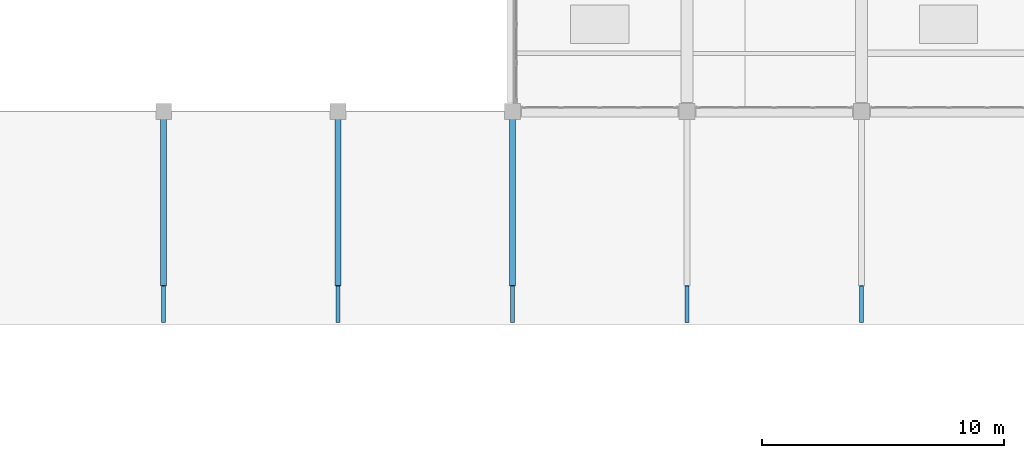
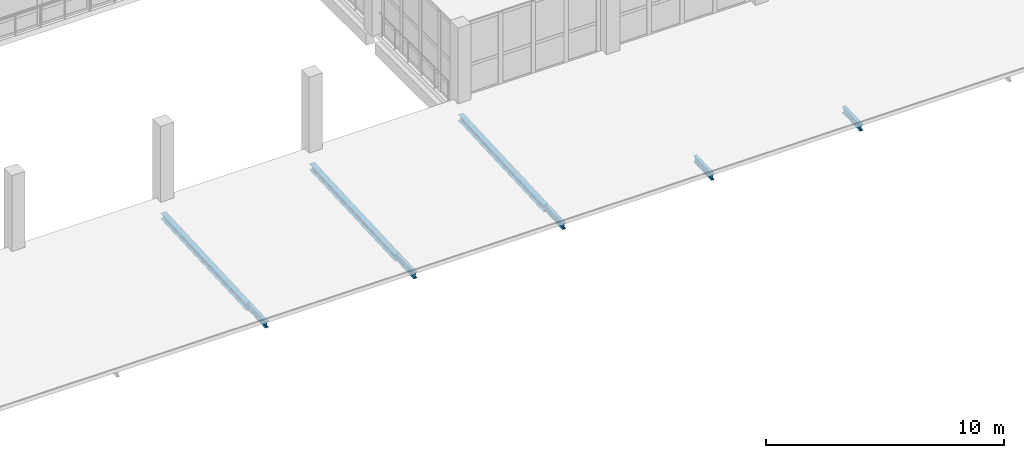
# One storey, part 26 of 127: 5 members, 3 beams.
"""IFC4 building model written with IfcOpenShell, lengths in metres."""

from ifc_helpers import new_model, si_unit, direction, frame, origin, origin_2d, place, context, subcontext, project, spatial, i_section, extrude, material, material_profile, profile_set, type_object, element, save


model = new_model("IFC4")

# Units and contexts
model_context = context("Model", 3, precision=1e-05, world=origin(), true_north=direction((0.0, 1.0)))
body_context = subcontext(model_context, "Body", "Model", "MODEL_VIEW")
ifc_project = project(units=[si_unit("LENGTHUNIT", "METRE"), si_unit("AREAUNIT", "SQUARE_METRE"), si_unit("VOLUMEUNIT", "CUBIC_METRE"), si_unit("PLANEANGLEUNIT", "RADIAN"), si_unit("MASSUNIT", "GRAM", prefix="KILO")], contexts=[model_context])

# Site, building, storey
site_placement = place(None, origin())
site = spatial("IfcSite", under=ifc_project, at=site_placement, CompositionType="ELEMENT")
building_placement = place(site_placement, origin())
building = spatial("IfcBuilding", under=site, at=building_placement, Name="Kalmorath City Hall", CompositionType="ELEMENT")
storey_placement = place(building_placement, frame((0.0, 0.0, 5.39990234375)))
storey = spatial("IfcBuildingStorey", under=building, at=storey_placement, Name="L01", CompositionType="ELEMENT", Elevation=5.39990234375)

# Beams
ifc_material_1 = material(Name="Steel ASTM A992 Grade 50", Category="steel")
ifc_material_profile_1 = material_profile(ifc_material_1, i_section(OverallWidth=0.25390625, OverallDepth=0.305908203125, WebThickness=0.0087890625, FlangeThickness=0.0146484375, FilletRadius=0.014892578125, at=origin_2d()), Name="W12X53")
ifc_profile_set_1 = profile_set([ifc_material_profile_1], Name="Steel ASTM A992 Grade 50")
beam_type = type_object("IfcBeamType", Name="Steel canopy beam W12X53", PredefinedType="BEAM", material=ifc_profile_set_1)
for number, where, z_axis, x_axis, name in (
    (1, (64.800048828125, 14.39990234375, -0.3798828125), (0.0, 0.998886377864, 0.047180548093), (-1.0, 0.0, 0.0), "Storm arcade canopy beam SJ11-5"),
    (2, (72.0, 14.39990234375, -0.3798828125), (0.0, 0.998886377864, 0.047180548093), (-1.0, 0.0, 0.0), "Storm arcade canopy beam SJ11-6"),
    (3, (79.199951171875, 14.39990234375, -0.3798828125), (0.0, 0.998886377864, 0.047180548093), (-1.0, 0.0, 0.0), "Storm arcade canopy beam SJ11-7"),
):
    element("IfcBeam", number, at=place(storey_placement, frame(where, z_axis=z_axis, x_axis=x_axis)), inside=storey, type_object=beam_type, Name=name, PredefinedType="BEAM", context=body_context, shape_type="SweptSolid", body=[
        extrude(i_section(OverallWidth=0.25390625, OverallDepth=0.305908203125, WebThickness=0.0087890625, FlangeThickness=0.0146484375, FilletRadius=0.014892578125, at=origin_2d()), origin(), (0.0, 0.0, 1.0), 7.208251953125),
    ])

# Members
ifc_material_2 = material(Name="Steel ASTM A992 Grade 50", Category="steel")
ifc_material_profile_2 = material_profile(ifc_material_2, i_section(OverallWidth=0.1669921875, OverallDepth=0.318115234375, WebThickness=0.007568359375, FlangeThickness=0.01318359375, FilletRadius=0.012939453125, at=origin_2d()), Name="W12X35")
ifc_profile_set_2 = profile_set([ifc_material_profile_2], Name="Steel ASTM A992 Grade 50")
member_type = type_object("IfcMemberType", Name="Steel eave outlooker rafter W12X35", PredefinedType="RAFTER", material=ifc_profile_set_2)
for number, where, z_axis, x_axis, name in (
    (4, (64.800048828125, 12.89990234375, -0.3798828125), (0.0, 0.999199399207, 0.040007007195), (-1.0, 0.0, 0.0), "Storm arcade eave outlooker RF4-5"),
    (5, (72.0, 12.89990234375, -0.3798828125), (0.0, 0.999199399207, 0.040007007195), (-1.0, 0.0, 0.0), "Storm arcade eave outlooker RF4-6"),
    (6, (79.199951171875, 12.89990234375, -0.3798828125), (0.0, 0.999199399207, 0.040007007195), (-1.0, 0.0, 0.0), "Storm arcade eave outlooker RF4-7"),
    (7, (86.39990234375, 12.89990234375, -0.3798828125), (0.0, 0.999199399207, 0.040007007195), (-1.0, 0.0, 0.0), "Storm arcade eave outlooker RF4-8"),
    (8, (93.60009765625, 12.89990234375, -0.3798828125), (0.0, 0.999199399207, 0.040007007195), (-1.0, 0.0, 0.0), "Storm arcade eave outlooker RF4-9"),
):
    element("IfcMember", number, at=place(storey_placement, frame(where, z_axis=z_axis, x_axis=x_axis)), inside=storey, type_object=member_type, Name=name, PredefinedType="RAFTER", context=body_context, shape_type="SweptSolid", body=[
        extrude(i_section(OverallWidth=0.1669921875, OverallDepth=0.318115234375, WebThickness=0.007568359375, FlangeThickness=0.01318359375, FilletRadius=0.012939453125, at=origin_2d()), origin(), (0.0, 0.0, 1.0), 1.501220703125),
    ])

save(model, "model.ifc")
